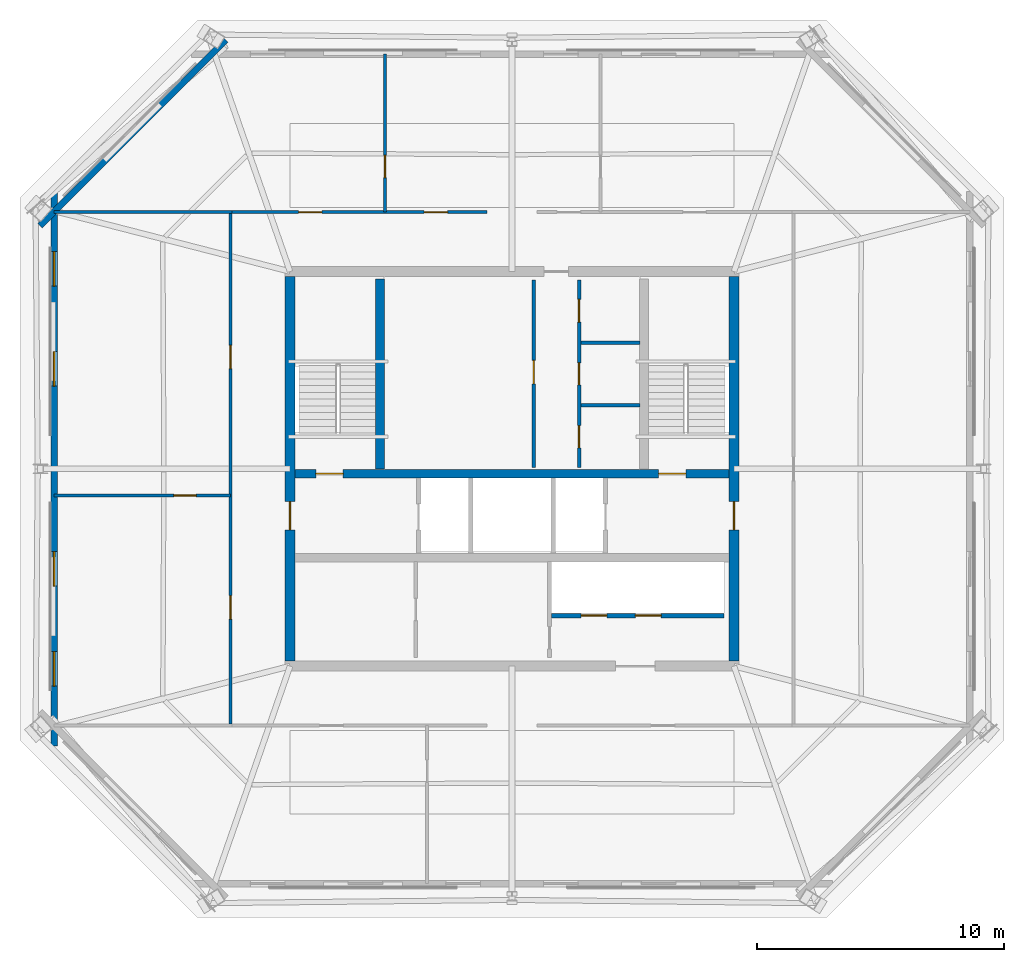
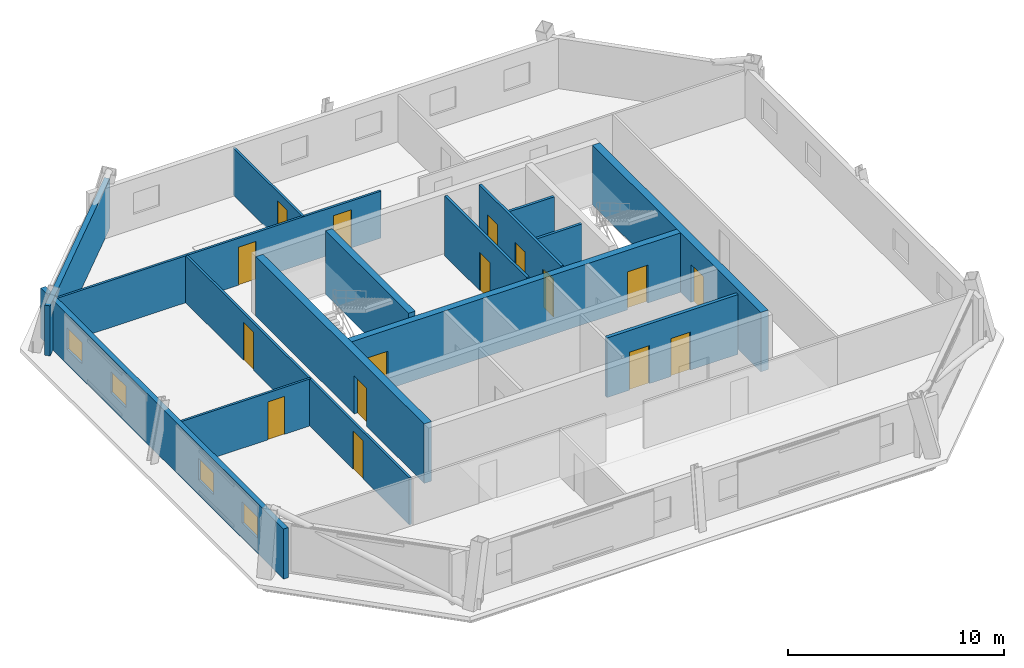
# One storey, part 3 of 6: 16 doors, 16 walls, 4 windows, 20 openings.
"""IFC4 building model written with IfcOpenShell, lengths in metres."""

from ifc_helpers import new_model, si_unit, direction, frame, frame_2d, origin, place, context, subcontext, project, spatial, rectangle, extrude, material, layer, layer_set, type_object, element, fill, save


model = new_model("IFC4")

# Units and contexts
model_context = context("Model", 3, precision=1e-05, world=origin(), true_north=direction((0.0, 1.0)))
body_context = subcontext(model_context, "Body", "Model", "MODEL_VIEW")
ifc_project = project(units=[si_unit("LENGTHUNIT", "METRE"), si_unit("AREAUNIT", "SQUARE_METRE"), si_unit("VOLUMEUNIT", "CUBIC_METRE"), si_unit("PLANEANGLEUNIT", "RADIAN"), si_unit("MASSUNIT", "GRAM", prefix="KILO")], contexts=[model_context])

# Site, building, storey
site_placement = place(None, origin())
site = spatial("IfcSite", under=ifc_project, at=site_placement, CompositionType="ELEMENT")
building_placement = place(site_placement, origin())
building = spatial("IfcBuilding", under=site, at=building_placement, Name="Caelvoria Tower", CompositionType="ELEMENT")
storey_placement = place(building_placement, frame((0.0, 0.0, 246.60009765625)))
storey = spatial("IfcBuildingStorey", under=building, at=storey_placement, Name="L65", CompositionType="ELEMENT", Elevation=246.60009765625)

# Wall, openings, doors
ifc_material_1 = material(Name="Concrete C50/60", Category="concrete")
ifc_layer_1 = layer(ifc_material_1, 0.35009765625, Name="Concrete C50/60")
ifc_layer_set_1 = layer_set([ifc_layer_1], Name="Core Internal Shear Wall 350 - Concrete C50/60")
wall_type_1 = type_object("IfcWallType", Name="Core Internal Shear Wall 350", PredefinedType="SHEAR", material=ifc_layer_set_1)
wall_1_placement = place(storey_placement, frame((37.199951171875, 31.800048828125, 0.0), z_axis=(0.0, 0.0, 1.0), x_axis=(1.0, 0.0, 0.0)))
wall_1 = element("IfcWall", 1, at=wall_1_placement, inside=storey, type_object=wall_type_1, Name="Core Shear Wall L65 M1", PredefinedType="SHEAR", context=body_context, shape_type="SweptSolid", body=[
    extrude(rectangle(XDim=17.60009765625, YDim=0.35009765625, at=frame_2d((8.800048828125, 0.0))), origin(), (0.0, 0.0, 1.0), 3.35986328125),
])
opening_1_placement = place(wall_1_placement, frame((0.85009765625, 0.0, 0.0)))
opening_1 = element("IfcOpeningElement", 2, at=opening_1_placement, cuts=wall_1, Name="Opening ID-01", PredefinedType="OPENING", context=body_context, shape_type="SweptSolid", body=[
    extrude(rectangle(XDim=1.10009765625, YDim=2.14990234375, at=frame_2d((0.550048828125, 1.074951171875))), frame((0.0, 0.18505859375, 0.0), z_axis=(0.0, -1.0, 0.0), x_axis=(1.0, 0.0, 0.0)), (0.0, 0.0, 1.0), 0.3701171875),
])
opening_2_placement = place(wall_1_placement, frame((14.75, 0.0, 0.0)))
opening_2 = element("IfcOpeningElement", 3, at=opening_2_placement, cuts=wall_1, Name="Opening ID-01", PredefinedType="OPENING", context=body_context, shape_type="SweptSolid", body=[
    extrude(rectangle(XDim=1.10009765625, YDim=2.14990234375, at=frame_2d((0.550048828125, 1.074951171875))), frame((0.0, 0.18505859375, 0.0), z_axis=(0.0, -1.0, 0.0), x_axis=(1.0, 0.0, 0.0)), (0.0, 0.0, 1.0), 0.3701171875),
])
ifc_material_2 = material(Name="Painted Hollow Steel Fire Door", Category="steel")
door_type_1 = type_object("IfcDoorType", Name="Fire Door FD90S 1100x2150", OperationType="NOTDEFINED", PredefinedType="DOOR", material=ifc_material_2)
door_1_placement = place(opening_1_placement, origin())
door_1 = element("IfcDoor", 4, at=door_1_placement, inside=storey, type_object=door_type_1, Name="Core Door DR-L65-ST1", OperationType="SINGLE_SWING_LEFT", OverallHeight=2.14990234375, OverallWidth=1.10009765625, PredefinedType="DOOR", context=body_context, shape_type="SweptSolid", body=[
    extrude(rectangle(XDim=1.10009765625, YDim=2.14990234375, at=frame_2d((0.550048828125, 1.074951171875))), frame((0.0, 0.02490234375, 0.0), z_axis=(0.0, -1.0, 0.0), x_axis=(1.0, 0.0, 0.0)), (0.0, 0.0, 1.0), 0.050048828125),
])
fill(opening_1, door_1)
door_2_placement = place(opening_2_placement, origin())
door_2 = element("IfcDoor", 5, at=door_2_placement, inside=storey, type_object=door_type_1, Name="Core Door DR-L65-ST2", OperationType="SINGLE_SWING_RIGHT", OverallHeight=2.14990234375, OverallWidth=1.10009765625, PredefinedType="DOOR", context=body_context, shape_type="SweptSolid", body=[
    extrude(rectangle(XDim=1.10009765625, YDim=2.14990234375, at=frame_2d((0.550048828125, 1.074951171875))), frame((0.0, 0.02490234375, 0.0), z_axis=(0.0, -1.0, 0.0), x_axis=(1.0, 0.0, 0.0)), (0.0, 0.0, 1.0), 0.050048828125),
])
fill(opening_2, door_2)

# Wall
wall_2_placement = place(storey_placement, frame((40.64990234375, 32.0, 0.0), z_axis=(0.0, 0.0, 1.0), x_axis=(0.0, 1.0, 0.0)))
element("IfcWall", 6, at=wall_2_placement, inside=storey, type_object=wall_type_1, Name="Interior Partition IW-L65-ST1E", PredefinedType="SHEAR", context=body_context, shape_type="SweptSolid", body=[
    extrude(rectangle(XDim=7.699951171875, YDim=0.35009765625, at=frame_2d((3.85009765625, 0.0))), origin(), (0.0, 0.0, 1.0), 3.599853515625),
])

# Wall, opening, door
ifc_material_3 = material(Name="Moisture-Resistant Gypsum on Steel Stud", Category="steel")
ifc_layer_2 = layer(ifc_material_3, 0.139892578125, Name="Moisture-Resistant Gypsum on Steel Stud")
ifc_layer_set_2 = layer_set([ifc_layer_2], Name="Core Sanitary Acoustic Partition Wall 140 - Moisture-Resistant Gypsum on Steel Stud")
wall_type_2 = type_object("IfcWallType", Name="Core Sanitary Acoustic Partition Wall 140", PredefinedType="PARTITIONING", material=ifc_layer_set_2)
wall_3_placement = place(storey_placement, frame((46.8798828125, 32.050048828125, 0.0), z_axis=(0.0, 0.0, 1.0), x_axis=(0.0, 1.0, 0.0)))
wall_3 = element("IfcWall", 7, at=wall_3_placement, inside=storey, type_object=wall_type_2, Name="Interior Partition IW-L65-C2L", PredefinedType="PARTITIONING", context=body_context, shape_type="SweptSolid", body=[
    extrude(rectangle(XDim=7.599853515625, YDim=0.139892578125, at=frame_2d((3.7998046875, 0.0))), origin(), (0.0, 0.0, 1.0), 3.375),
])
opening_3_placement = place(wall_3_placement, frame((3.39990234375, 0.0, 0.0)))
opening_3 = element("IfcOpeningElement", 8, at=opening_3_placement, cuts=wall_3, Name="Opening ID-05", PredefinedType="OPENING", context=body_context, shape_type="SweptSolid", body=[
    extrude(rectangle(XDim=0.949951171875, YDim=2.14990234375, at=frame_2d((0.47509765625, 1.074951171875))), frame((0.0, 0.079833984375, 0.0), z_axis=(0.0, -1.0, 0.0), x_axis=(1.0, 0.0, 0.0)), (0.0, 0.0, 1.0), 0.159912109375),
])
ifc_material_4 = material(Name="Engineered Andean Oak Veneer Door", Category="wood")
door_type_2 = type_object("IfcDoorType", Name="Interior Timber Door 950x2150", OperationType="NOTDEFINED", PredefinedType="DOOR", material=ifc_material_4)
door_3_placement = place(opening_3_placement, origin())
door_3 = element("IfcDoor", 9, at=door_3_placement, inside=storey, type_object=door_type_2, Name="Interior Door DR-L65-C2W", OperationType="SINGLE_SWING_LEFT", OverallHeight=2.14990234375, OverallWidth=0.949951171875, PredefinedType="DOOR", context=body_context, shape_type="SweptSolid", body=[
    extrude(rectangle(XDim=0.949951171875, YDim=2.14990234375, at=frame_2d((0.47509765625, 1.074951171875))), frame((0.0, 0.02490234375, 0.0), z_axis=(0.0, -1.0, 0.0), x_axis=(1.0, 0.0, 0.0)), (0.0, 0.0, 1.0), 0.050048828125),
])
fill(opening_3, door_3)

# Wall, openings, doors
wall_4_placement = place(storey_placement, frame((48.719970703125, 32.050048828125, 0.0), z_axis=(0.0, 0.0, 1.0), x_axis=(0.0, 1.0, 0.0)))
wall_4 = element("IfcWall", 10, at=wall_4_placement, inside=storey, type_object=wall_type_2, Name="Interior Partition IW-L65-C2R", PredefinedType="PARTITIONING", context=body_context, shape_type="SweptSolid", body=[
    extrude(rectangle(XDim=7.599853515625, YDim=0.139892578125, at=frame_2d((3.7998046875, 0.0))), origin(), (0.0, 0.0, 1.0), 3.375),
])
opening_4_placement = place(wall_4_placement, frame((0.800048828125, 0.0, 0.0)))
opening_4 = element("IfcOpeningElement", 11, at=opening_4_placement, cuts=wall_4, Name="Opening ID-04", PredefinedType="OPENING", context=body_context, shape_type="SweptSolid", body=[
    extrude(rectangle(XDim=0.89990234375, YDim=2.14990234375, at=frame_2d((0.449951171875, 1.074951171875))), frame((0.0, 0.079833984375, 0.0), z_axis=(0.0, -1.0, 0.0), x_axis=(1.0, 0.0, 0.0)), (0.0, 0.0, 1.0), 0.159912109375),
])
opening_5_placement = place(wall_4_placement, frame((3.35009765625, 0.0, 0.0)))
opening_5 = element("IfcOpeningElement", 12, at=opening_5_placement, cuts=wall_4, Name="Opening ID-06", PredefinedType="OPENING", context=body_context, shape_type="SweptSolid", body=[
    extrude(rectangle(XDim=0.89990234375, YDim=2.14990234375, at=frame_2d((0.449951171875, 1.074951171875))), frame((0.0, 0.079833984375, 0.0), z_axis=(0.0, -1.0, 0.0), x_axis=(1.0, 0.0, 0.0)), (0.0, 0.0, 1.0), 0.159912109375),
])
opening_6_placement = place(wall_4_placement, frame((5.89990234375, 0.0, 0.0)))
opening_6 = element("IfcOpeningElement", 13, at=opening_6_placement, cuts=wall_4, Name="Opening ID-07", PredefinedType="OPENING", context=body_context, shape_type="SweptSolid", body=[
    extrude(rectangle(XDim=0.919921875, YDim=2.14990234375, at=frame_2d((0.4599609375, 1.074951171875))), frame((0.0, 0.079833984375, 0.0), z_axis=(0.0, -1.0, 0.0), x_axis=(1.0, 0.0, 0.0)), (0.0, 0.0, 1.0), 0.159912109375),
])
ifc_material_5 = material(Name="Engineered Andean Oak Accessible Door", Category="wood")
door_type_3 = type_object("IfcDoorType", Name="Accessible WC Door 950x2150", OperationType="NOTDEFINED", PredefinedType="DOOR", material=ifc_material_5)
door_4_placement = place(opening_6_placement, origin())
door_4 = element("IfcDoor", 14, at=door_4_placement, inside=storey, type_object=door_type_3, Name="Interior Door DR-L65-C2E3", OperationType="SINGLE_SWING_RIGHT", OverallHeight=2.14990234375, OverallWidth=0.919921875, PredefinedType="DOOR", context=body_context, shape_type="SweptSolid", body=[
    extrude(rectangle(XDim=0.919921875, YDim=2.14990234375, at=frame_2d((0.4599609375, 1.074951171875))), frame((0.0, 0.02490234375, 0.0), z_axis=(0.0, -1.0, 0.0), x_axis=(1.0, 0.0, 0.0)), (0.0, 0.0, 1.0), 0.050048828125),
])
fill(opening_6, door_4)
ifc_material_6 = material(Name="Acoustic Timber Fire Door", Category="wood")
door_type_4 = type_object("IfcDoorType", Name="Fire Door FD30S 900x2150", OperationType="NOTDEFINED", PredefinedType="DOOR", material=ifc_material_6)
door_5_placement = place(opening_4_placement, origin())
door_5 = element("IfcDoor", 15, at=door_5_placement, inside=storey, type_object=door_type_4, Name="Interior Door DR-L65-C2E1", OperationType="SINGLE_SWING_RIGHT", OverallHeight=2.14990234375, OverallWidth=0.89990234375, PredefinedType="DOOR", context=body_context, shape_type="SweptSolid", body=[
    extrude(rectangle(XDim=0.89990234375, YDim=2.14990234375, at=frame_2d((0.449951171875, 1.074951171875))), frame((0.0, 0.02490234375, 0.0), z_axis=(0.0, -1.0, 0.0), x_axis=(1.0, 0.0, 0.0)), (0.0, 0.0, 1.0), 0.050048828125),
])
fill(opening_4, door_5)
door_type_5 = type_object("IfcDoorType", Name="Interior Timber Door 900x2150", OperationType="NOTDEFINED", PredefinedType="DOOR", material=ifc_material_4)
door_6_placement = place(opening_5_placement, origin())
door_6 = element("IfcDoor", 16, at=door_6_placement, inside=storey, type_object=door_type_5, Name="Interior Door DR-L65-C2E2", OperationType="SINGLE_SWING_LEFT", OverallHeight=2.14990234375, OverallWidth=0.89990234375, PredefinedType="DOOR", context=body_context, shape_type="SweptSolid", body=[
    extrude(rectangle(XDim=0.89990234375, YDim=2.14990234375, at=frame_2d((0.449951171875, 1.074951171875))), frame((0.0, 0.02490234375, 0.0), z_axis=(0.0, -1.0, 0.0), x_axis=(1.0, 0.0, 0.0)), (0.0, 0.0, 1.0), 0.050048828125),
])
fill(opening_5, door_6)

# Walls
for number, where, z_axis, x_axis, name in (
    (17, (48.800048828125, 34.580078125, 0.0), (0.0, 0.0, 1.0), (1.0, 0.0, 0.0), "Interior Partition IW-L65-C2H1"),
    (18, (48.800048828125, 37.1201171875, 0.0), (0.0, 0.0, 1.0), (1.0, 0.0, 0.0), "Interior Partition IW-L65-C2H2"),
):
    element("IfcWall", number, at=place(storey_placement, frame(where, z_axis=z_axis, x_axis=x_axis)), inside=storey, type_object=wall_type_2, Name=name, PredefinedType="PARTITIONING", context=body_context, shape_type="SweptSolid", body=[
        extrude(rectangle(XDim=2.39990234375, YDim=0.139892578125, at=frame_2d((1.199951171875, 0.0))), origin(), (0.0, 0.0, 1.0), 3.375),
    ])

# Wall, openings, doors
ifc_material_7 = material(Name="Concrete Block and Fireboard Assembly", Category="concrete")
ifc_layer_3 = layer(ifc_material_7, 0.179931640625, Name="Concrete Block and Fireboard Assembly")
ifc_layer_set_3 = layer_set([ifc_layer_3], Name="Fire-Rated Hoistway Partition Wall 180 - Concrete Block and Fireboard Assembly")
wall_type_3 = type_object("IfcWallType", Name="Fire-Rated Hoistway Partition Wall 180", PredefinedType="PARTITIONING", material=ifc_layer_set_3)
wall_5_placement = place(storey_placement, frame((47.60009765625, 26.050048828125, 0.0), z_axis=(0.0, 0.0, 1.0), x_axis=(1.0, 0.0, 0.0)))
wall_5 = element("IfcWall", 19, at=wall_5_placement, inside=storey, type_object=wall_type_3, Name="Interior Partition IW-L65-LFRONT", PredefinedType="PARTITIONING", context=body_context, shape_type="SweptSolid", body=[
    extrude(rectangle(XDim=7.0, YDim=0.179931640625, at=frame_2d((3.5, 0.0))), origin(), (0.0, 0.0, 1.0), 3.375),
])
opening_7_placement = place(wall_5_placement, frame((1.199951171875, 0.0, 0.0)))
opening_7 = element("IfcOpeningElement", 20, at=opening_7_placement, cuts=wall_5, Name="Opening LD-01", PredefinedType="OPENING", context=body_context, shape_type="SweptSolid", body=[
    extrude(rectangle(XDim=1.050048828125, YDim=2.14990234375, at=frame_2d((0.52490234375, 1.074951171875))), frame((0.0, 0.099853515625, 0.0), z_axis=(0.0, -1.0, 0.0), x_axis=(1.0, 0.0, 0.0)), (0.0, 0.0, 1.0), 0.199951171875),
])
opening_8_placement = place(wall_5_placement, frame((3.39990234375, 0.0, 0.0)))
opening_8 = element("IfcOpeningElement", 21, at=opening_8_placement, cuts=wall_5, Name="Opening LD-01", PredefinedType="OPENING", context=body_context, shape_type="SweptSolid", body=[
    extrude(rectangle(XDim=1.050048828125, YDim=2.14990234375, at=frame_2d((0.52490234375, 1.074951171875))), frame((0.0, 0.099853515625, 0.0), z_axis=(0.0, -1.0, 0.0), x_axis=(1.0, 0.0, 0.0)), (0.0, 0.0, 1.0), 0.199951171875),
])
ifc_material_8 = material(Name="Brushed Bronze Stainless Sliding Landing Door", Category="aluminium")
door_type_6 = type_object("IfcDoorType", Name="Lift Landing Sliding Door 1100x2150", OperationType="NOTDEFINED", PredefinedType="DOOR", material=ifc_material_8)
door_7_placement = place(opening_7_placement, origin())
door_7 = element("IfcDoor", 22, at=door_7_placement, inside=storey, type_object=door_type_6, Name="Interior Door LD-L65-PH1", OperationType="SLIDING_TO_LEFT", OverallHeight=2.14990234375, OverallWidth=1.050048828125, PredefinedType="DOOR", context=body_context, shape_type="SweptSolid", body=[
    extrude(rectangle(XDim=1.050048828125, YDim=2.14990234375, at=frame_2d((0.52490234375, 1.074951171875))), frame((0.0, 0.02490234375, 0.0), z_axis=(0.0, -1.0, 0.0), x_axis=(1.0, 0.0, 0.0)), (0.0, 0.0, 1.0), 0.050048828125),
])
fill(opening_7, door_7)
door_8_placement = place(opening_8_placement, origin())
door_8 = element("IfcDoor", 23, at=door_8_placement, inside=storey, type_object=door_type_6, Name="Interior Door LD-L65-PH2", OperationType="SLIDING_TO_RIGHT", OverallHeight=2.14990234375, OverallWidth=1.050048828125, PredefinedType="DOOR", context=body_context, shape_type="SweptSolid", body=[
    extrude(rectangle(XDim=1.050048828125, YDim=2.14990234375, at=frame_2d((0.52490234375, 1.074951171875))), frame((0.0, 0.02490234375, 0.0), z_axis=(0.0, -1.0, 0.0), x_axis=(1.0, 0.0, 0.0)), (0.0, 0.0, 1.0), 0.050048828125),
])
fill(opening_8, door_8)

# Wall, opening, door
ifc_layer_4 = layer(ifc_material_1, 0.39990234375, Name="Concrete C50/60")
ifc_layer_set_4 = layer_set([ifc_layer_4], Name="Summit Core Shear Wall 400 - Concrete C50/60")
wall_type_4 = type_object("IfcWallType", Name="Summit Core Shear Wall 400", PredefinedType="SHEAR", material=ifc_layer_set_4)
wall_6_placement = place(storey_placement, frame((37.0, 24.199951171875, 0.0), z_axis=(0.0, 0.0, 1.0), x_axis=(0.0, 1.0, 0.0)))
wall_6 = element("IfcWall", 24, at=wall_6_placement, inside=storey, type_object=wall_type_4, Name="Core Shear Wall L65 W", PredefinedType="SHEAR", context=body_context, shape_type="SweptSolid", body=[
    extrude(rectangle(XDim=15.60009765625, YDim=0.39990234375, at=frame_2d((7.800048828125, 0.0))), origin(), (0.0, 0.0, 1.0), 3.35986328125),
])
opening_9_placement = place(wall_6_placement, frame((5.324951171875, 0.0, 0.0)))
opening_9 = element("IfcOpeningElement", 25, at=opening_9_placement, cuts=wall_6, Name="Opening ID-02", PredefinedType="OPENING", context=body_context, shape_type="SweptSolid", body=[
    extrude(rectangle(XDim=1.14990234375, YDim=2.14990234375, at=frame_2d((0.574951171875, 1.074951171875))), frame((0.0, 0.2099609375, 0.0), z_axis=(0.0, -1.0, 0.0), x_axis=(1.0, 0.0, 0.0)), (0.0, 0.0, 1.0), 0.419921875),
])
door_type_7 = type_object("IfcDoorType", Name="Fire Door FD60S 1150x2150", OperationType="NOTDEFINED", PredefinedType="DOOR", material=ifc_material_2)
door_9_placement = place(opening_9_placement, origin())
door_9 = element("IfcDoor", 26, at=door_9_placement, inside=storey, type_object=door_type_7, Name="Core Door DR-L65-FFLW-OUT", OperationType="SINGLE_SWING_LEFT", OverallHeight=2.14990234375, OverallWidth=1.14990234375, PredefinedType="DOOR", context=body_context, shape_type="SweptSolid", body=[
    extrude(rectangle(XDim=1.14990234375, YDim=2.14990234375, at=frame_2d((0.574951171875, 1.074951171875))), frame((0.0, 0.02490234375, 0.0), z_axis=(0.0, -1.0, 0.0), x_axis=(1.0, 0.0, 0.0)), (0.0, 0.0, 1.0), 0.050048828125),
])
fill(opening_9, door_9)

wall_7_placement = place(storey_placement, frame((55.0, 24.199951171875, 0.0), z_axis=(0.0, 0.0, 1.0), x_axis=(0.0, 1.0, 0.0)))
wall_7 = element("IfcWall", 27, at=wall_7_placement, inside=storey, type_object=wall_type_4, Name="Core Shear Wall L65 E", PredefinedType="SHEAR", context=body_context, shape_type="SweptSolid", body=[
    extrude(rectangle(XDim=15.60009765625, YDim=0.39990234375, at=frame_2d((7.800048828125, 0.0))), origin(), (0.0, 0.0, 1.0), 3.35986328125),
])
opening_10_placement = place(wall_7_placement, frame((5.324951171875, 0.0, 0.0)))
opening_10 = element("IfcOpeningElement", 28, at=opening_10_placement, cuts=wall_7, Name="Opening ID-02", PredefinedType="OPENING", context=body_context, shape_type="SweptSolid", body=[
    extrude(rectangle(XDim=1.14990234375, YDim=2.14990234375, at=frame_2d((0.574951171875, 1.074951171875))), frame((0.0, 0.2099609375, 0.0), z_axis=(0.0, -1.0, 0.0), x_axis=(1.0, 0.0, 0.0)), (0.0, 0.0, 1.0), 0.419921875),
])
door_10_placement = place(opening_10_placement, origin())
door_10 = element("IfcDoor", 29, at=door_10_placement, inside=storey, type_object=door_type_7, Name="Core Door DR-L65-FFLE-OUT", OperationType="SINGLE_SWING_RIGHT", OverallHeight=2.14990234375, OverallWidth=1.14990234375, PredefinedType="DOOR", context=body_context, shape_type="SweptSolid", body=[
    extrude(rectangle(XDim=1.14990234375, YDim=2.14990234375, at=frame_2d((0.574951171875, 1.074951171875))), frame((0.0, 0.02490234375, 0.0), z_axis=(0.0, -1.0, 0.0), x_axis=(1.0, 0.0, 0.0)), (0.0, 0.0, 1.0), 0.050048828125),
])
fill(opening_10, door_10)

ifc_material_9 = material(Name="Acoustic Gypsum Board on Light-Gauge Stud", Category="gypsum")
ifc_layer_5 = layer(ifc_material_9, 0.1201171875, Name="Acoustic Gypsum Board on Light-Gauge Stud")
ifc_layer_set_5 = layer_set([ifc_layer_5], Name="Tenant Suite Acoustic Partition Wall 120 - Acoustic Gypsum Board on Light-Gauge Stud")
wall_type_5 = type_object("IfcWallType", Name="Tenant Suite Acoustic Partition Wall 120", PredefinedType="PARTITIONING", material=ifc_layer_set_5)
wall_8_placement = place(storey_placement, frame((40.849853515625, 42.409912109375, 0.0), z_axis=(0.0, 0.0, 1.0), x_axis=(0.0, 1.0, 0.0)))
wall_8 = element("IfcWall", 30, at=wall_8_placement, inside=storey, type_object=wall_type_5, Name="Interior Partition IW-L65-ND-00-0", PredefinedType="PARTITIONING", context=body_context, shape_type="SweptSolid", body=[
    extrude(rectangle(XDim=6.41015625, YDim=0.1201171875, at=frame_2d((3.205078125, 0.0))), origin(), (0.0, 0.0, 1.0), 2.65478515625),
])
opening_11_placement = place(wall_8_placement, frame((1.39990234375, 0.0, 0.0)))
opening_11 = element("IfcOpeningElement", 31, at=opening_11_placement, cuts=wall_8, Name="Opening ID-06", PredefinedType="OPENING", context=body_context, shape_type="SweptSolid", body=[
    extrude(rectangle(XDim=0.89990234375, YDim=2.14990234375, at=frame_2d((0.449951171875, 1.074951171875))), frame((0.0, 0.070068359375, 0.0), z_axis=(0.0, -1.0, 0.0), x_axis=(1.0, 0.0, 0.0)), (0.0, 0.0, 1.0), 0.14013671875),
])
door_11_placement = place(opening_11_placement, origin())
door_11 = element("IfcDoor", 32, at=door_11_placement, inside=storey, type_object=door_type_5, Name="Interior Door DR-L65-NM-00-0", OperationType="SINGLE_SWING_RIGHT", OverallHeight=2.14990234375, OverallWidth=0.89990234375, PredefinedType="DOOR", context=body_context, shape_type="SweptSolid", body=[
    extrude(rectangle(XDim=0.89990234375, YDim=2.14990234375, at=frame_2d((0.449951171875, 1.074951171875))), frame((0.0, 0.02490234375, 0.0), z_axis=(0.0, -1.0, 0.0), x_axis=(1.0, 0.0, 0.0)), (0.0, 0.0, 1.0), 0.050048828125),
])
fill(opening_11, door_11)

# Wall, openings, doors
wall_9_placement = place(storey_placement, frame((34.64990234375, 42.409912109375, 0.0), z_axis=(0.0, 0.0, 1.0), x_axis=(1.0, 0.0, 0.0)))
wall_9 = element("IfcWall", 33, at=wall_9_placement, inside=storey, type_object=wall_type_5, Name="Interior Partition IW-L65-NCW-0", PredefinedType="PARTITIONING", context=body_context, shape_type="SweptSolid", body=[
    extrude(rectangle(XDim=10.330078125, YDim=0.1201171875, at=frame_2d((5.1650390625, 0.0))), origin(), (0.0, 0.0, 1.0), 2.65478515625),
])
opening_12_placement = place(wall_9_placement, frame((2.69482421875, 0.0, 0.0)))
opening_12 = element("IfcOpeningElement", 34, at=opening_12_placement, cuts=wall_9, Name="Opening ID-05", PredefinedType="OPENING", context=body_context, shape_type="SweptSolid", body=[
    extrude(rectangle(XDim=0.949951171875, YDim=2.14990234375, at=frame_2d((0.47509765625, 1.074951171875))), frame((0.0, 0.070068359375, 0.0), z_axis=(0.0, -1.0, 0.0), x_axis=(1.0, 0.0, 0.0)), (0.0, 0.0, 1.0), 0.14013671875),
])
opening_13_placement = place(wall_9_placement, frame((7.7900390625, 0.0, 0.0)))
opening_13 = element("IfcOpeningElement", 35, at=opening_13_placement, cuts=wall_9, Name="Opening ID-05", PredefinedType="OPENING", context=body_context, shape_type="SweptSolid", body=[
    extrude(rectangle(XDim=0.949951171875, YDim=2.14990234375, at=frame_2d((0.47509765625, 1.074951171875))), frame((0.0, 0.070068359375, 0.0), z_axis=(0.0, -1.0, 0.0), x_axis=(1.0, 0.0, 0.0)), (0.0, 0.0, 1.0), 0.14013671875),
])
door_12_placement = place(opening_12_placement, origin())
door_12 = element("IfcDoor", 36, at=door_12_placement, inside=storey, type_object=door_type_2, Name="Interior Door DR-L65-NC-00-0", OperationType="SINGLE_SWING_RIGHT", OverallHeight=2.14990234375, OverallWidth=0.949951171875, PredefinedType="DOOR", context=body_context, shape_type="SweptSolid", body=[
    extrude(rectangle(XDim=0.949951171875, YDim=2.14990234375, at=frame_2d((0.47509765625, 1.074951171875))), frame((0.0, 0.02490234375, 0.0), z_axis=(0.0, -1.0, 0.0), x_axis=(1.0, 0.0, 0.0)), (0.0, 0.0, 1.0), 0.050048828125),
])
fill(opening_12, door_12)
door_13_placement = place(opening_13_placement, origin())
door_13 = element("IfcDoor", 37, at=door_13_placement, inside=storey, type_object=door_type_2, Name="Interior Door DR-L65-NC-01-0", OperationType="SINGLE_SWING_LEFT", OverallHeight=2.14990234375, OverallWidth=0.949951171875, PredefinedType="DOOR", context=body_context, shape_type="SweptSolid", body=[
    extrude(rectangle(XDim=0.949951171875, YDim=2.14990234375, at=frame_2d((0.47509765625, 1.074951171875))), frame((0.0, 0.02490234375, 0.0), z_axis=(0.0, -1.0, 0.0), x_axis=(1.0, 0.0, 0.0)), (0.0, 0.0, 1.0), 0.050048828125),
])
fill(opening_13, door_13)

# Wall, opening, door
wall_10_placement = place(storey_placement, frame((34.590087890625, 30.921142578125, 0.0), z_axis=(0.0, 0.0, 1.0), x_axis=(-1.0, 0.0, 0.0)))
wall_10 = element("IfcWall", 38, at=wall_10_placement, inside=storey, type_object=wall_type_5, Name="Interior Partition IW-L65-WD-00-0", PredefinedType="PARTITIONING", context=body_context, shape_type="SweptSolid", body=[
    extrude(rectangle(XDim=7.16015625, YDim=0.1201171875, at=frame_2d((3.580078125, 0.0))), origin(), (0.0, 0.0, 1.0), 2.65478515625),
])
opening_14_placement = place(wall_10_placement, frame((1.39990234375, 0.0, 0.0)))
opening_14 = element("IfcOpeningElement", 39, at=opening_14_placement, cuts=wall_10, Name="Opening ID-06", PredefinedType="OPENING", context=body_context, shape_type="SweptSolid", body=[
    extrude(rectangle(XDim=0.89990234375, YDim=2.14990234375, at=frame_2d((0.449951171875, 1.074951171875))), frame((0.0, 0.070068359375, 0.0), z_axis=(0.0, -1.0, 0.0), x_axis=(1.0, 0.0, 0.0)), (0.0, 0.0, 1.0), 0.14013671875),
])
door_14_placement = place(opening_14_placement, origin())
door_14 = element("IfcDoor", 40, at=door_14_placement, inside=storey, type_object=door_type_5, Name="Interior Door DR-L65-WM-00-0", OperationType="SINGLE_SWING_RIGHT", OverallHeight=2.14990234375, OverallWidth=0.89990234375, PredefinedType="DOOR", context=body_context, shape_type="SweptSolid", body=[
    extrude(rectangle(XDim=0.89990234375, YDim=2.14990234375, at=frame_2d((0.449951171875, 1.074951171875))), frame((0.0, 0.02490234375, 0.0), z_axis=(0.0, -1.0, 0.0), x_axis=(1.0, 0.0, 0.0)), (0.0, 0.0, 1.0), 0.050048828125),
])
fill(opening_14, door_14)

# Wall, openings, doors
wall_11_placement = place(storey_placement, frame((34.590087890625, 21.64990234375, 0.0), z_axis=(0.0, 0.0, 1.0), x_axis=(0.0, 1.0, 0.0)))
wall_11 = element("IfcWall", 41, at=wall_11_placement, inside=storey, type_object=wall_type_5, Name="Interior Partition IW-L65-WCW-0", PredefinedType="PARTITIONING", context=body_context, shape_type="SweptSolid", body=[
    extrude(rectangle(XDim=20.7001953125, YDim=0.1201171875, at=frame_2d((10.35009765625, 0.0))), origin(), (0.0, 0.0, 1.0), 2.65478515625),
])
opening_15_placement = place(wall_11_placement, frame((4.260498046875, 0.0, 0.0)))
opening_15 = element("IfcOpeningElement", 42, at=opening_15_placement, cuts=wall_11, Name="Opening ID-05", PredefinedType="OPENING", context=body_context, shape_type="SweptSolid", body=[
    extrude(rectangle(XDim=0.949951171875, YDim=2.14990234375, at=frame_2d((0.47509765625, 1.074951171875))), frame((0.0, 0.070068359375, 0.0), z_axis=(0.0, -1.0, 0.0), x_axis=(1.0, 0.0, 0.0)), (0.0, 0.0, 1.0), 0.14013671875),
])
opening_16_placement = place(wall_11_placement, frame((14.41064453125, 0.0, 0.0)))
opening_16 = element("IfcOpeningElement", 43, at=opening_16_placement, cuts=wall_11, Name="Opening ID-05", PredefinedType="OPENING", context=body_context, shape_type="SweptSolid", body=[
    extrude(rectangle(XDim=0.949951171875, YDim=2.14990234375, at=frame_2d((0.47509765625, 1.074951171875))), frame((0.0, 0.070068359375, 0.0), z_axis=(0.0, -1.0, 0.0), x_axis=(1.0, 0.0, 0.0)), (0.0, 0.0, 1.0), 0.14013671875),
])
door_15_placement = place(opening_15_placement, origin())
door_15 = element("IfcDoor", 44, at=door_15_placement, inside=storey, type_object=door_type_2, Name="Interior Door DR-L65-WC-00-0", OperationType="SINGLE_SWING_RIGHT", OverallHeight=2.14990234375, OverallWidth=0.949951171875, PredefinedType="DOOR", context=body_context, shape_type="SweptSolid", body=[
    extrude(rectangle(XDim=0.949951171875, YDim=2.14990234375, at=frame_2d((0.47509765625, 1.074951171875))), frame((0.0, 0.02490234375, 0.0), z_axis=(0.0, -1.0, 0.0), x_axis=(1.0, 0.0, 0.0)), (0.0, 0.0, 1.0), 0.050048828125),
])
fill(opening_15, door_15)
door_16_placement = place(opening_16_placement, origin())
door_16 = element("IfcDoor", 45, at=door_16_placement, inside=storey, type_object=door_type_2, Name="Interior Door DR-L65-WC-01-0", OperationType="SINGLE_SWING_LEFT", OverallHeight=2.14990234375, OverallWidth=0.949951171875, PredefinedType="DOOR", context=body_context, shape_type="SweptSolid", body=[
    extrude(rectangle(XDim=0.949951171875, YDim=2.14990234375, at=frame_2d((0.47509765625, 1.074951171875))), frame((0.0, 0.02490234375, 0.0), z_axis=(0.0, -1.0, 0.0), x_axis=(1.0, 0.0, 0.0)), (0.0, 0.0, 1.0), 0.050048828125),
])
fill(opening_16, door_16)

# Walls
wall_12_placement = place(storey_placement, frame((34.64990234375, 42.409912109375, 0.0), z_axis=(0.0, 0.0, 1.0), x_axis=(-1.0, 0.0, 0.0)))
element("IfcWall", 46, at=wall_12_placement, inside=storey, type_object=wall_type_5, Name="Interior Partition IW-L65-BNW-0", PredefinedType="PARTITIONING", context=body_context, shape_type="SweptSolid", body=[
    extrude(rectangle(XDim=7.219970703125, YDim=0.1201171875, at=frame_2d((3.60986328125, 0.0))), origin(), (0.0, 0.0, 1.0), 2.65478515625),
])
ifc_material_10 = material(Name="Precast Concrete C40/50 with Bronze Cladding", Category="concrete")
ifc_layer_6 = layer(ifc_material_10, 0.264892578125, Name="Precast Concrete C40/50 with Bronze Cladding")
ifc_layer_set_6 = layer_set([ifc_layer_6], Name="Upper Taper Precast Concrete C40/50 Bronze Facade Wall 265 - Precast Concrete C40/50 with Bronze Cladding")
wall_type_6 = type_object("IfcWallType", Name="Upper Taper Precast Concrete C40/50 Bronze Facade Wall 265", PredefinedType="STANDARD", material=ifc_layer_set_6)
wall_13_placement = place(storey_placement, frame((34.3955078125, 49.393798828125, 0.0), z_axis=(0.0, 0.0, 1.0), x_axis=(-0.707106781187, -0.707106781187, 0.0)))
element("IfcWall", 47, at=wall_13_placement, inside=storey, type_object=wall_type_6, Name="Exterior Facade Wall L65-E5", PredefinedType="STANDARD", context=body_context, shape_type="SweptSolid", body=[
    extrude(rectangle(XDim=10.662109375, YDim=0.264892578125, at=frame_2d((5.3310546875, 0.0))), origin(), (0.0, 0.0, 1.0), 2.831787109375),
])

# Wall, openings, windows
wall_14_placement = place(storey_placement, frame((27.429931640625, 43.239990234375, 0.0), z_axis=(0.0, 0.0, 1.0), x_axis=(0.0, -1.0, 0.0)))
wall_14 = element("IfcWall", 48, at=wall_14_placement, inside=storey, type_object=wall_type_6, Name="Exterior Facade Wall L65-E6", PredefinedType="STANDARD", context=body_context, shape_type="SweptSolid", body=[
    extrude(rectangle(XDim=22.47998046875, YDim=0.264892578125, at=frame_2d((11.239990234375, 0.0))), origin(), (0.0, 0.0, 1.0), 2.831787109375),
])
opening_17_placement = place(wall_14_placement, frame((2.427978515625, 0.0, 0.85009765625)))
opening_17 = element("IfcOpeningElement", 49, at=opening_17_placement, cuts=wall_14, Name="Opening WN-06", PredefinedType="OPENING", context=body_context, shape_type="SweptSolid", body=[
    extrude(rectangle(XDim=1.39990234375, YDim=1.199951171875, at=frame_2d((0.699951171875, 0.60009765625))), frame((0.0, 0.142333984375, 0.0), z_axis=(0.0, -1.0, 0.0), x_axis=(1.0, 0.0, 0.0)), (0.0, 0.0, 1.0), 0.284912109375),
])
opening_18_placement = place(wall_14_placement, frame((6.48388671875, 0.0, 0.85009765625)))
opening_18 = element("IfcOpeningElement", 50, at=opening_18_placement, cuts=wall_14, Name="Opening WN-06", PredefinedType="OPENING", context=body_context, shape_type="SweptSolid", body=[
    extrude(rectangle(XDim=1.39990234375, YDim=1.199951171875, at=frame_2d((0.699951171875, 0.60009765625))), frame((0.0, 0.142333984375, 0.0), z_axis=(0.0, -1.0, 0.0), x_axis=(1.0, 0.0, 0.0)), (0.0, 0.0, 1.0), 0.284912109375),
])
opening_19_placement = place(wall_14_placement, frame((14.595947265625, 0.0, 0.85009765625)))
opening_19 = element("IfcOpeningElement", 51, at=opening_19_placement, cuts=wall_14, Name="Opening WN-06", PredefinedType="OPENING", context=body_context, shape_type="SweptSolid", body=[
    extrude(rectangle(XDim=1.39990234375, YDim=1.199951171875, at=frame_2d((0.699951171875, 0.60009765625))), frame((0.0, 0.142333984375, 0.0), z_axis=(0.0, -1.0, 0.0), x_axis=(1.0, 0.0, 0.0)), (0.0, 0.0, 1.0), 0.284912109375),
])
opening_20_placement = place(wall_14_placement, frame((18.652099609375, 0.0, 0.85009765625)))
opening_20 = element("IfcOpeningElement", 52, at=opening_20_placement, cuts=wall_14, Name="Opening WN-06", PredefinedType="OPENING", context=body_context, shape_type="SweptSolid", body=[
    extrude(rectangle(XDim=1.39990234375, YDim=1.199951171875, at=frame_2d((0.699951171875, 0.60009765625))), frame((0.0, 0.142333984375, 0.0), z_axis=(0.0, -1.0, 0.0), x_axis=(1.0, 0.0, 0.0)), (0.0, 0.0, 1.0), 0.284912109375),
])
ifc_material_11 = material(Name="Low-E Tinted Glass in Bronze Aluminium Frame", Category="aluminium")
window_type = type_object("IfcWindowType", Name="Podium Clerestory Window 1400x1200", PartitioningType="SINGLE_PANEL", PredefinedType="WINDOW", material=ifc_material_11)
window_1_placement = place(opening_17_placement, origin())
window_1 = element("IfcWindow", 53, at=window_1_placement, inside=storey, type_object=window_type, Name="Facade Window L65-E6-00", OverallHeight=1.199951171875, OverallWidth=1.39990234375, PartitioningType="SINGLE_PANEL", PredefinedType="WINDOW", context=body_context, shape_type="SweptSolid", body=[
    extrude(rectangle(XDim=1.39990234375, YDim=1.199951171875, at=frame_2d((0.699951171875, 0.60009765625))), frame((0.0, 0.030029296875, 0.0), z_axis=(0.0, -1.0, 0.0), x_axis=(1.0, 0.0, 0.0)), (0.0, 0.0, 1.0), 0.06005859375),
])
fill(opening_17, window_1)
window_2_placement = place(opening_18_placement, origin())
window_2 = element("IfcWindow", 54, at=window_2_placement, inside=storey, type_object=window_type, Name="Facade Window L65-E6-01", OverallHeight=1.199951171875, OverallWidth=1.39990234375, PartitioningType="SINGLE_PANEL", PredefinedType="WINDOW", context=body_context, shape_type="SweptSolid", body=[
    extrude(rectangle(XDim=1.39990234375, YDim=1.199951171875, at=frame_2d((0.699951171875, 0.60009765625))), frame((0.0, 0.030029296875, 0.0), z_axis=(0.0, -1.0, 0.0), x_axis=(1.0, 0.0, 0.0)), (0.0, 0.0, 1.0), 0.06005859375),
])
fill(opening_18, window_2)
window_3_placement = place(opening_19_placement, origin())
window_3 = element("IfcWindow", 55, at=window_3_placement, inside=storey, type_object=window_type, Name="Facade Window L65-E6-03", OverallHeight=1.199951171875, OverallWidth=1.39990234375, PartitioningType="SINGLE_PANEL", PredefinedType="WINDOW", context=body_context, shape_type="SweptSolid", body=[
    extrude(rectangle(XDim=1.39990234375, YDim=1.199951171875, at=frame_2d((0.699951171875, 0.60009765625))), frame((0.0, 0.030029296875, 0.0), z_axis=(0.0, -1.0, 0.0), x_axis=(1.0, 0.0, 0.0)), (0.0, 0.0, 1.0), 0.06005859375),
])
fill(opening_19, window_3)
window_4_placement = place(opening_20_placement, origin())
window_4 = element("IfcWindow", 56, at=window_4_placement, inside=storey, type_object=window_type, Name="Facade Window L65-E6-04", OverallHeight=1.199951171875, OverallWidth=1.39990234375, PartitioningType="SINGLE_PANEL", PredefinedType="WINDOW", context=body_context, shape_type="SweptSolid", body=[
    extrude(rectangle(XDim=1.39990234375, YDim=1.199951171875, at=frame_2d((0.699951171875, 0.60009765625))), frame((0.0, 0.030029296875, 0.0), z_axis=(0.0, -1.0, 0.0), x_axis=(1.0, 0.0, 0.0)), (0.0, 0.0, 1.0), 0.06005859375),
])
fill(opening_20, window_4)

save(model, "model.ifc")
